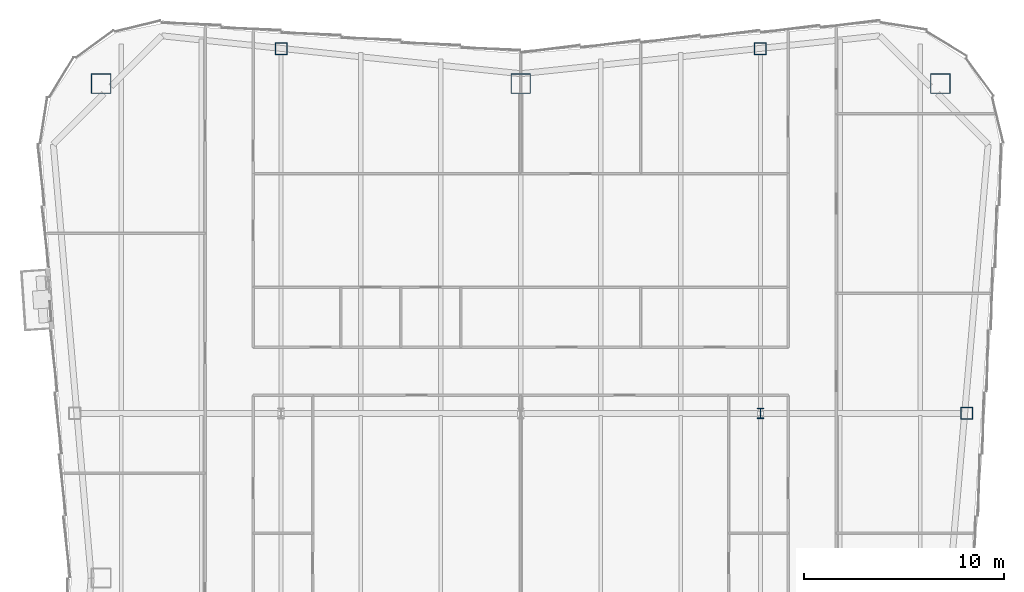
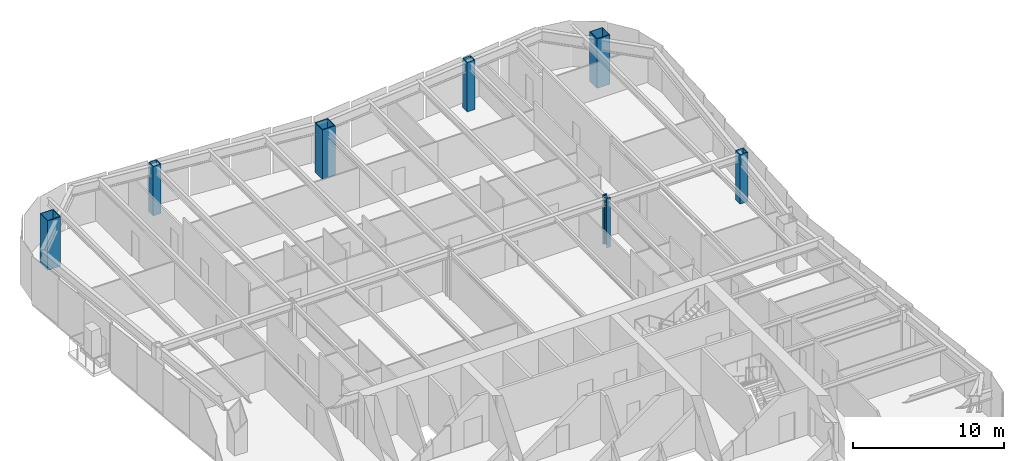
# One storey, part 2 of 12: 7 columns.
"""IFC4 building model written with IfcOpenShell, lengths in metres."""

from ifc_helpers import new_model, si_unit, direction, frame, origin, origin_2d, place, context, subcontext, project, spatial, hollow_rectangle, i_section, extrude, material, material_profile, profile_set, type_object, element, save


model = new_model("IFC4")

# Units and contexts
model_context = context("Model", 3, precision=1e-05, world=origin(), true_north=direction((0.0, 1.0)))
body_context = subcontext(model_context, "Body", "Model", "MODEL_VIEW")
ifc_project = project(units=[si_unit("LENGTHUNIT", "METRE"), si_unit("AREAUNIT", "SQUARE_METRE"), si_unit("VOLUMEUNIT", "CUBIC_METRE"), si_unit("PLANEANGLEUNIT", "RADIAN"), si_unit("MASSUNIT", "GRAM", prefix="KILO")], contexts=[model_context])

# Site, building, storey
site_placement = place(None, origin())
site = spatial("IfcSite", under=ifc_project, at=site_placement, CompositionType="ELEMENT")
building_placement = place(site_placement, origin())
building = spatial("IfcBuilding", under=site, at=building_placement, Name="Verdant Reach Tower", CompositionType="ELEMENT")
storey_placement = place(building_placement, frame((0.0, 0.0, 246.0)))
storey = spatial("IfcBuildingStorey", under=building, at=storey_placement, Name="L56", CompositionType="ELEMENT", Elevation=246.0)

# Columns
ifc_material = material(Name="Steel S460", Category="steel")
ifc_material_profile_1 = material_profile(ifc_material, i_section(OverallWidth=0.305908203125, OverallDepth=0.52392578125, WebThickness=0.012451171875, FlangeThickness=0.0400390625, FilletRadius=0.027099609375, at=origin_2d()), Name="HEM 500")
ifc_profile_set_1 = profile_set([ifc_material_profile_1], Name="Steel S460")
column_type_1 = type_object("IfcColumnType", Name="ST-COL-HEM500", PredefinedType="COLUMN", material=ifc_profile_set_1)
column_placement = place(storey_placement, frame((12.0, 49.5, 0.0), z_axis=(0.0, 0.0, 1.0), x_axis=(1.0, 0.0, 0.0)))
element("IfcColumn", 1, at=column_placement, inside=storey, type_object=column_type_1, Name="Interior column 3, L56", PredefinedType="COLUMN", context=body_context, shape_type="SweptSolid", body=[
    extrude(i_section(OverallWidth=0.305908203125, OverallDepth=0.52392578125, WebThickness=0.012451171875, FlangeThickness=0.0400390625, FilletRadius=0.027099609375, at=origin_2d()), origin(), (0.0, 0.0, 1.0), 4.0),
])
ifc_material_profile_2 = material_profile(ifc_material, hollow_rectangle(XDim=1.0, YDim=1.0, WallThickness=0.044921875, at=origin_2d()), Name="WB 1000x1000x45")
ifc_profile_set_2 = profile_set([ifc_material_profile_2], Name="Steel S460")
column_type_2 = type_object("IfcColumnType", Name="ST-COL-WB1000x1000x45", PredefinedType="COLUMN", material=ifc_profile_set_2)
for number, where, z_axis, x_axis, name in (
    (2, (-21.0, 66.0, 0.0), (0.0, 0.0, 1.0), (1.0, 0.0, 0.0), "Mega column north-west, L56"),
    (3, (0.0, 66.0, 0.0), (0.0, 0.0, 1.0), (1.0, 0.0, 0.0), "Mega column north, L56"),
    (4, (21.0, 66.0, 0.0), (0.0, 0.0, 1.0), (1.0, 0.0, 0.0), "Mega column north-east, L56"),
):
    element("IfcColumn", number, at=place(storey_placement, frame(where, z_axis=z_axis, x_axis=x_axis)), inside=storey, type_object=column_type_2, Name=name, PredefinedType="COLUMN", context=body_context, shape_type="SweptSolid", body=[
        extrude(hollow_rectangle(XDim=1.0, YDim=1.0, WallThickness=0.044921875, at=origin_2d()), origin(), (0.0, 0.0, 1.0), 4.0),
    ])
ifc_material_profile_3 = material_profile(ifc_material, hollow_rectangle(XDim=0.60009765625, YDim=0.60009765625, WallThickness=0.02490234375, at=origin_2d()), Name="WB 600x600x25")
ifc_profile_set_3 = profile_set([ifc_material_profile_3], Name="Steel S460")
column_type_3 = type_object("IfcColumnType", Name="ST-COL-WB600x600x25", PredefinedType="COLUMN", material=ifc_profile_set_3)
for number, where, z_axis, x_axis, name in (
    (5, (-12.0, 67.75, 0.0), (0.0, 0.0, 1.0), (1.0, 0.0, 0.0), "Perimeter column north 1, L56"),
    (6, (12.0, 67.75, 0.0), (0.0, 0.0, 1.0), (1.0, 0.0, 0.0), "Perimeter column north 2, L56"),
    (7, (22.319091796875, 49.5, 0.0), (0.0, 0.0, 1.0), (1.0, 0.0, 0.0), "Perimeter column east 2, L56"),
):
    element("IfcColumn", number, at=place(storey_placement, frame(where, z_axis=z_axis, x_axis=x_axis)), inside=storey, type_object=column_type_3, Name=name, PredefinedType="COLUMN", context=body_context, shape_type="SweptSolid", body=[
        extrude(hollow_rectangle(XDim=0.60009765625, YDim=0.60009765625, WallThickness=0.02490234375, at=origin_2d()), origin(), (0.0, 0.0, 1.0), 4.0),
    ])

save(model, "model.ifc")
